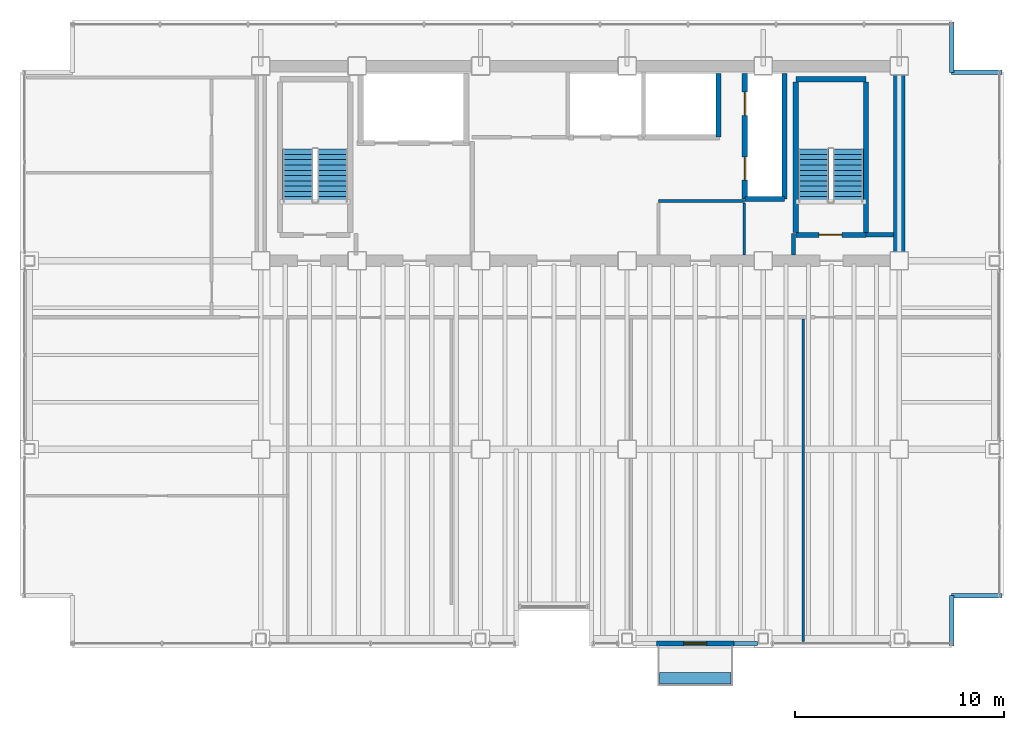
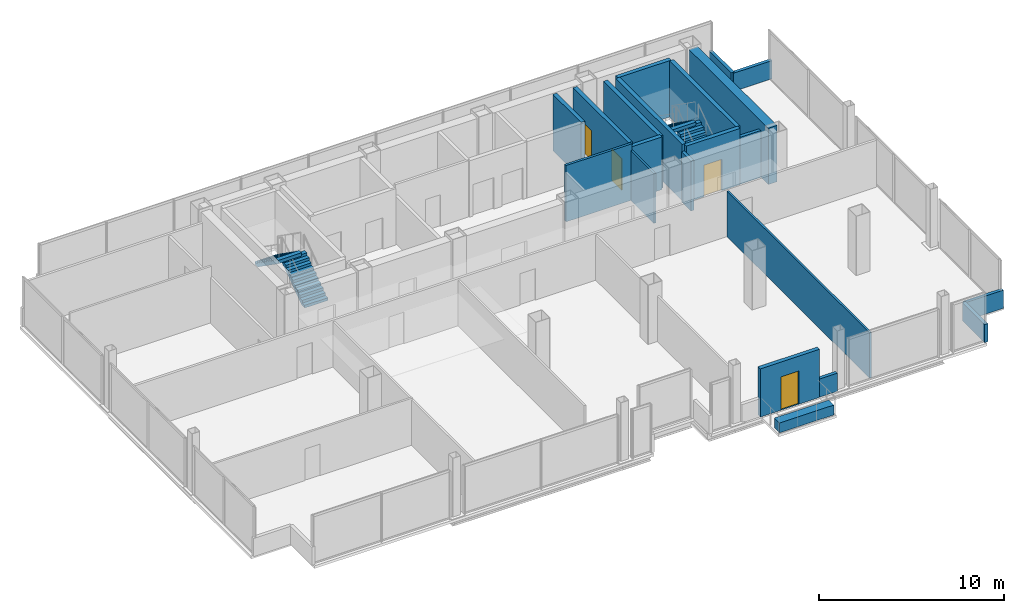
# One storey, part 19 of 20: 20 walls, 4 doors, 4 stair flights, 1 discrete accessory, 4 openings, 2 elements without a shape of their own.
"""IFC4 building model written with IfcOpenShell, lengths in metres."""

from ifc_helpers import new_model, si_unit, direction, frame, frame_2d, origin, origin_2d, place, context, subcontext, project, spatial, polyline, rectangle, outline, extrude, material, layer, layer_set, type_object, element, fill, aggregate, save


model = new_model("IFC4")

# Units and contexts
model_context = context("Model", 3, precision=1e-05, world=origin(), true_north=direction((0.0, 1.0)))
body_context = subcontext(model_context, "Body", "Model", "MODEL_VIEW")
ifc_project = project(units=[si_unit("LENGTHUNIT", "METRE"), si_unit("AREAUNIT", "SQUARE_METRE"), si_unit("VOLUMEUNIT", "CUBIC_METRE"), si_unit("PLANEANGLEUNIT", "RADIAN"), si_unit("MASSUNIT", "GRAM", prefix="KILO")], contexts=[model_context])

# Site, building, storey
site_placement = place(None, origin())
site = spatial("IfcSite", under=ifc_project, at=site_placement, CompositionType="ELEMENT")
building_placement = place(site_placement, origin())
building = spatial("IfcBuilding", under=site, at=building_placement, Name="Noeulbin Bourse Tower", CompositionType="ELEMENT")
storey_placement = place(building_placement, frame((0.0, 0.0, 122.699951171875)))
storey = spatial("IfcBuildingStorey", under=building, at=storey_placement, Name="L30", CompositionType="ELEMENT", Elevation=122.699951171875)

# Wall
ifc_material_1 = material(Name="Concrete C60/75", Category="concrete")
ifc_layer_1 = layer(ifc_material_1, 0.550048828125)
ifc_layer_set_1 = layer_set([ifc_layer_1], Name="Concrete C60/75")
wall_type_1 = type_object("IfcWallType", Name="WAL-CORE-550", PredefinedType="SHEAR", material=ifc_layer_set_1)
wall_1_placement = place(storey_placement, frame((44.0, 29.35009765625, 0.0), z_axis=(0.0, 0.0, 1.0), x_axis=(0.0, 1.0, 0.0)))
element("IfcWall", 1, at=wall_1_placement, inside=storey, type_object=wall_type_1, Name="Rear Core East Shear Wall L30", PredefinedType="SHEAR", context=body_context, shape_type="SweptSolid", body=[
    extrude(rectangle(XDim=8.599853515625, YDim=0.550048828125, at=frame_2d((4.2998046875, 0.0))), origin(), (0.0, 0.0, 1.0), 3.719970703125),
])

# Wall, opening, door
ifc_material_2 = material(Name="Precast Concrete C40/50", Category="concrete")
ifc_layer_2 = layer(ifc_material_2, 0.25)
ifc_layer_set_2 = layer_set([ifc_layer_2], Name="Precast Concrete C40/50")
wall_type_2 = type_object("IfcWallType", Name="WAL-EXT-250", PredefinedType="STANDARD", material=ifc_layer_set_2)
wall_2_placement = place(storey_placement, frame((32.39990234375, 10.719970703125, 0.0), z_axis=(0.0, 0.0, 1.0), x_axis=(1.0, 0.0, 0.0)))
wall_2 = element("IfcWall", 2, at=wall_2_placement, inside=storey, type_object=wall_type_2, Name="Balcony Threshold Wall L30", PredefinedType="STANDARD", context=body_context, shape_type="SweptSolid", body=[
    extrude(rectangle(XDim=3.7001953125, YDim=0.25, at=frame_2d((1.85009765625, 0.0))), origin(), (0.0, 0.0, 1.0), 3.179931640625),
])
opening_1_placement = place(wall_2_placement, frame((1.300048828125, 0.0, 0.0)))
opening_1 = element("IfcOpeningElement", 3, at=opening_1_placement, cuts=wall_2, Name="Opening BD-11", PredefinedType="OPENING", context=body_context, shape_type="SweptSolid", body=[
    extrude(rectangle(XDim=1.10009765625, YDim=2.199951171875, at=frame_2d((0.550048828125, 1.10009765625))), frame((0.0, 0.135009765625, 0.0), z_axis=(0.0, -1.0, 0.0), x_axis=(1.0, 0.0, 0.0)), (0.0, 0.0, 1.0), 0.27001953125),
])
ifc_material_3 = material(Name="Thermally Broken Aluminium Framed Glass", Category="aluminium")
door_type_1 = type_object("IfcDoorType", Name="DR-BAL-1100", OperationType="SINGLE_SWING_LEFT", PredefinedType="DOOR", material=ifc_material_3)
door_1_placement = place(opening_1_placement, origin())
door_1 = element("IfcDoor", 4, at=door_1_placement, inside=storey, type_object=door_type_1, Name="Tree-Balcony Access Door BD-L30", OperationType="SINGLE_SWING_RIGHT", OverallHeight=2.199951171875, OverallWidth=1.10009765625, PredefinedType="DOOR", context=body_context, shape_type="SweptSolid", body=[
    extrude(rectangle(XDim=1.10009765625, YDim=2.199951171875, at=frame_2d((0.550048828125, 1.10009765625))), frame((0.0, 0.02490234375, 0.0), z_axis=(0.0, -1.0, 0.0), x_axis=(1.0, 0.0, 0.0)), (0.0, 0.0, 1.0), 0.050048828125),
])
fill(opening_1, door_1)

# Walls
ifc_material_4 = material(Name="Concrete C40/50", Category="concrete")
ifc_layer_3 = layer(ifc_material_4, 0.199951171875)
ifc_layer_set_3 = layer_set([ifc_layer_3], Name="Concrete C40/50")
wall_type_3 = type_object("IfcWallType", Name="WAL-FIRE-200", PredefinedType="STANDARD", material=ifc_layer_set_3)
wall_3_placement = place(storey_placement, frame((42.39990234375, 30.239990234375, 0.0), z_axis=(0.0, 0.0, 1.0), x_axis=(1.0, 0.0, 0.0)))
element("IfcWall", 5, at=wall_3_placement, inside=storey, type_object=wall_type_3, Name="Interior Partition Wall L30-01", PredefinedType="STANDARD", context=body_context, shape_type="SweptSolid", body=[
    extrude(rectangle(XDim=1.315185546875, YDim=0.199951171875, at=frame_2d((0.65771484375, 0.0))), origin(), (0.0, 0.0, 1.0), 3.10009765625),
])
wall_4_placement = place(storey_placement, frame((38.949951171875, 29.284912109375, 0.0), z_axis=(0.0, 0.0, 1.0), x_axis=(0.0, 1.0, 0.0)))
element("IfcWall", 6, at=wall_4_placement, inside=storey, type_object=wall_type_3, Name="Interior Partition Wall L30-09", PredefinedType="STANDARD", context=body_context, shape_type="SweptSolid", body=[
    extrude(rectangle(XDim=1.01513671875, YDim=0.199951171875, at=frame_2d((0.507568359375, 0.0))), origin(), (0.0, 0.0, 1.0), 3.300048828125),
])
ifc_layer_4 = layer(ifc_material_4, 0.199951171875)
ifc_layer_set_4 = layer_set([ifc_layer_4], Name="Concrete C40/50")
wall_type_4 = type_object("IfcWallType", Name="WAL-PAR-200", PredefinedType="PARAPET", material=ifc_layer_set_4)
wall_5_placement = place(storey_placement, frame((36.10009765625, 10.719970703125, 0.0), z_axis=(0.0, 0.0, 1.0), x_axis=(1.0, 0.0, 0.0)))
element("IfcWall", 7, at=wall_5_placement, inside=storey, type_object=wall_type_4, Name="Perimeter Pier Spandrel Parapet L30-S2", PredefinedType="PARAPET", context=body_context, shape_type="SweptSolid", body=[
    extrude(rectangle(XDim=1.1298828125, YDim=0.199951171875, at=frame_2d((0.56494140625, 0.0))), origin(), (0.0, 0.0, 1.0), 1.199951171875),
])
for number, where, z_axis, x_axis, name in (
    (8, (46.5, 10.60009765625, 0.0), (0.0, 0.0, 1.0), (0.0, 1.0, 0.0), "Corner Notch Parapet L30-SE1"),
    (9, (46.5, 13.0, 0.0), (0.0, 0.0, 1.0), (1.0, 0.0, 0.0), "Corner Notch Parapet L30-SE2"),
    (10, (46.5, 40.39990234375, 0.0), (0.0, 0.0, 1.0), (0.0, -1.0, 0.0), "Corner Notch Parapet L30-NE1"),
    (11, (46.5, 38.0, 0.0), (0.0, 0.0, 1.0), (1.0, 0.0, 0.0), "Corner Notch Parapet L30-NE2"),
):
    element("IfcWall", number, at=place(storey_placement, frame(where, z_axis=z_axis, x_axis=x_axis)), inside=storey, type_object=wall_type_4, Name=name, PredefinedType="PARAPET", context=body_context, shape_type="SweptSolid", body=[
        extrude(rectangle(XDim=2.39990234375, YDim=0.199951171875, at=frame_2d((1.199951171875, 0.0))), origin(), (0.0, 0.0, 1.0), 1.199951171875),
    ])
ifc_material_5 = material(Name="Steel Stud Gypsum Partition", Category="steel")
ifc_layer_5 = layer(ifc_material_5, 0.1201171875)
ifc_layer_set_5 = layer_set([ifc_layer_5], Name="Steel Stud Gypsum Partition")
wall_type_5 = type_object("IfcWallType", Name="WAL-PRT-120", PredefinedType="PARTITIONING", material=ifc_layer_set_5)
wall_6_placement = place(storey_placement, frame((36.60009765625, 29.284912109375, 0.0), z_axis=(0.0, 0.0, 1.0), x_axis=(0.0, 1.0, 0.0)))
element("IfcWall", 12, at=wall_6_placement, inside=storey, type_object=wall_type_5, Name="Interior Partition Wall L30-12", PredefinedType="PARTITIONING", context=body_context, shape_type="SweptSolid", body=[
    extrude(rectangle(XDim=2.47998046875, YDim=0.1201171875, at=frame_2d((1.239990234375, 0.0))), origin(), (0.0, 0.0, 1.0), 3.300048828125),
])
wall_7_placement = place(storey_placement, frame((39.39990234375, 10.81005859375, 0.0), z_axis=(0.0, 0.0, 1.0), x_axis=(0.0, 1.0, 0.0)))
element("IfcWall", 13, at=wall_7_placement, inside=storey, type_object=wall_type_5, Name="Interior Partition Wall L30-17", PredefinedType="PARTITIONING", context=body_context, shape_type="SweptSolid", body=[
    extrude(rectangle(XDim=15.405029296875, YDim=0.1201171875, at=frame_2d((7.70263671875, 0.0))), origin(), (0.0, 0.0, 1.0), 3.0),
])
ifc_material_6 = material(Name="Steel Stud Acoustic Gypsum Board", Category="steel")
ifc_layer_6 = layer(ifc_material_6, 0.14990234375)
ifc_layer_set_6 = layer_set([ifc_layer_6], Name="Steel Stud Acoustic Gypsum Board")
wall_type_6 = type_object("IfcWallType", Name="WAL-PRT-150", PredefinedType="PARTITIONING", material=ifc_layer_set_6)
wall_8_placement = place(storey_placement, frame((32.5, 31.85009765625, 0.0), z_axis=(0.0, 0.0, 1.0), x_axis=(1.0, 0.0, 0.0)))
element("IfcWall", 14, at=wall_8_placement, inside=storey, type_object=wall_type_6, Name="Interior Partition Wall L30-03", PredefinedType="PARTITIONING", context=body_context, shape_type="SweptSolid", body=[
    extrude(rectangle(XDim=4.10009765625, YDim=0.14990234375, at=frame_2d((2.050048828125, 0.0))), origin(), (0.0, 0.0, 1.0), 3.719970703125),
])

# Wall, opening, door
ifc_layer_7 = layer(ifc_material_4, 0.25)
ifc_layer_set_7 = layer_set([ifc_layer_7], Name="Concrete C40/50")
wall_type_7 = type_object("IfcWallType", Name="WAL-SHFT-250", PredefinedType="STANDARD", material=ifc_layer_set_7)
wall_9_placement = place(storey_placement, frame((39.06005859375, 30.235107421875, 0.0), z_axis=(0.0, 0.0, 1.0), x_axis=(1.0, 0.0, 0.0)))
wall_9 = element("IfcWall", 15, at=wall_9_placement, inside=storey, type_object=wall_type_7, Name="Stair ST-2 South Shaft Wall L30", PredefinedType="STANDARD", context=body_context, shape_type="SweptSolid", body=[
    extrude(rectangle(XDim=3.33984375, YDim=0.25, at=frame_2d((1.669921875, 0.0))), origin(), (0.0, 0.0, 1.0), 3.719970703125),
])
opening_2_placement = place(wall_9_placement, frame((1.10009765625, 0.0, 0.0)))
opening_2 = element("IfcOpeningElement", 16, at=opening_2_placement, cuts=wall_9, Name="Opening FD-11", PredefinedType="OPENING", context=body_context, shape_type="SweptSolid", body=[
    extrude(rectangle(XDim=1.10009765625, YDim=2.080078125, at=frame_2d((0.550048828125, 1.0400390625))), frame((0.0, 0.135009765625, 0.0), z_axis=(0.0, -1.0, 0.0), x_axis=(1.0, 0.0, 0.0)), (0.0, 0.0, 1.0), 0.27001953125),
])
ifc_material_7 = material(Name="Fire-Rated Insulated Steel", Category="steel")
door_type_2 = type_object("IfcDoorType", Name="DR-FD60-1100", OperationType="SINGLE_SWING_LEFT", PredefinedType="DOOR", material=ifc_material_7)
door_2_placement = place(opening_2_placement, origin())
door_2 = element("IfcDoor", 17, at=door_2_placement, inside=storey, type_object=door_type_2, Name="Protected Stair Entry Door ST2-L30", OperationType="SINGLE_SWING_RIGHT", OverallHeight=2.080078125, OverallWidth=1.10009765625, PredefinedType="DOOR", context=body_context, shape_type="SweptSolid", body=[
    extrude(rectangle(XDim=1.10009765625, YDim=2.080078125, at=frame_2d((0.550048828125, 1.0400390625))), frame((0.0, 0.02490234375, 0.0), z_axis=(0.0, -1.0, 0.0), x_axis=(1.0, 0.0, 0.0)), (0.0, 0.0, 1.0), 0.050048828125),
])
fill(opening_2, door_2)

# Walls
wall_10_placement = place(storey_placement, frame((39.06005859375, 37.6689453125, 0.0), z_axis=(0.0, 0.0, 1.0), x_axis=(1.0, 0.0, 0.0)))
element("IfcWall", 18, at=wall_10_placement, inside=storey, type_object=wall_type_7, Name="Stair ST-2 North Shaft Wall L30", PredefinedType="STANDARD", context=body_context, shape_type="SweptSolid", body=[
    extrude(rectangle(XDim=3.33984375, YDim=0.25, at=frame_2d((1.669921875, 0.0))), origin(), (0.0, 0.0, 1.0), 3.719970703125),
])
for number, where, z_axis, x_axis, name in (
    (19, (39.054931640625, 30.360107421875, 0.0), (0.0, 0.0, 1.0), (0.0, 1.0, 0.0), "Stair ST-2 West Shaft Wall L30"),
    (20, (42.405029296875, 30.360107421875, 0.0), (0.0, 0.0, 1.0), (0.0, 1.0, 0.0), "Stair ST-2 East Shaft Wall L30"),
):
    element("IfcWall", number, at=place(storey_placement, frame(where, z_axis=z_axis, x_axis=x_axis)), inside=storey, type_object=wall_type_7, Name=name, PredefinedType="STANDARD", context=body_context, shape_type="SweptSolid", body=[
        extrude(rectangle(XDim=7.183837890625, YDim=0.25, at=frame_2d((3.591796875, 0.0))), origin(), (0.0, 0.0, 1.0), 3.719970703125),
    ])

# Wall, openings, doors
wall_11_placement = place(storey_placement, frame((36.6201171875, 31.949951171875, 0.0), z_axis=(0.0, 0.0, 1.0), x_axis=(0.0, 1.0, 0.0)))
wall_11 = element("IfcWall", 21, at=wall_11_placement, inside=storey, type_object=wall_type_7, Name="Service Lift Shaft Wall L30", PredefinedType="STANDARD", context=body_context, shape_type="SweptSolid", body=[
    extrude(rectangle(XDim=6.0, YDim=0.25, at=frame_2d((3.0, 0.0))), origin(), (0.0, 0.0, 1.0), 3.719970703125),
])
opening_3_placement = place(wall_11_placement, frame((0.89990234375, 0.0, 0.0)))
opening_3 = element("IfcOpeningElement", 22, at=opening_3_placement, cuts=wall_11, Name="Opening LD-11", PredefinedType="OPENING", context=body_context, shape_type="SweptSolid", body=[
    extrude(rectangle(XDim=1.10009765625, YDim=2.080078125, at=frame_2d((0.550048828125, 1.0400390625))), frame((0.0, 0.135009765625, 0.0), z_axis=(0.0, -1.0, 0.0), x_axis=(1.0, 0.0, 0.0)), (0.0, 0.0, 1.0), 0.27001953125),
])
opening_4_placement = place(wall_11_placement, frame((4.0, 0.0, 0.0)))
opening_4 = element("IfcOpeningElement", 23, at=opening_4_placement, cuts=wall_11, Name="Opening LD-11", PredefinedType="OPENING", context=body_context, shape_type="SweptSolid", body=[
    extrude(rectangle(XDim=1.10009765625, YDim=2.080078125, at=frame_2d((0.550048828125, 1.0400390625))), frame((0.0, 0.135009765625, 0.0), z_axis=(0.0, -1.0, 0.0), x_axis=(1.0, 0.0, 0.0)), (0.0, 0.0, 1.0), 0.27001953125),
])
ifc_material_8 = material(Name="Brushed Stainless Steel 316", Category="steel")
door_type_3 = type_object("IfcDoorType", Name="DR-LIFT-1100", OperationType="SLIDING_TO_LEFT", PredefinedType="DOOR", material=ifc_material_8)
door_3_placement = place(opening_3_placement, origin())
door_3 = element("IfcDoor", 24, at=door_3_placement, inside=storey, type_object=door_type_3, Name="Lift Landing Door LD-EL-01-L30", OperationType="SLIDING_TO_LEFT", OverallHeight=2.080078125, OverallWidth=1.10009765625, PredefinedType="DOOR", context=body_context, shape_type="SweptSolid", body=[
    extrude(rectangle(XDim=1.10009765625, YDim=2.080078125, at=frame_2d((0.550048828125, 1.0400390625))), frame((0.0, 0.02490234375, 0.0), z_axis=(0.0, -1.0, 0.0), x_axis=(1.0, 0.0, 0.0)), (0.0, 0.0, 1.0), 0.050048828125),
])
fill(opening_3, door_3)
door_4_placement = place(opening_4_placement, origin())
door_4 = element("IfcDoor", 25, at=door_4_placement, inside=storey, type_object=door_type_3, Name="Lift Landing Door LD-SV-01-L30", OperationType="SLIDING_TO_LEFT", OverallHeight=2.080078125, OverallWidth=1.10009765625, PredefinedType="DOOR", context=body_context, shape_type="SweptSolid", body=[
    extrude(rectangle(XDim=1.10009765625, YDim=2.080078125, at=frame_2d((0.550048828125, 1.0400390625))), frame((0.0, 0.02490234375, 0.0), z_axis=(0.0, -1.0, 0.0), x_axis=(1.0, 0.0, 0.0)), (0.0, 0.0, 1.0), 0.050048828125),
])
fill(opening_4, door_4)

# Walls
wall_12_placement = place(storey_placement, frame((38.52001953125, 31.949951171875, 0.0), z_axis=(0.0, 0.0, 1.0), x_axis=(0.0, 1.0, 0.0)))
element("IfcWall", 26, at=wall_12_placement, inside=storey, type_object=wall_type_7, Name="Service Lift East Shaft Wall L30", PredefinedType="STANDARD", context=body_context, shape_type="SweptSolid", body=[
    extrude(rectangle(XDim=6.0, YDim=0.25, at=frame_2d((3.0, 0.0))), origin(), (0.0, 0.0, 1.0), 3.47998046875),
])
wall_13_placement = place(storey_placement, frame((36.6201171875, 31.949951171875, 0.0), z_axis=(0.0, 0.0, 1.0), x_axis=(1.0, 0.0, 0.0)))
element("IfcWall", 27, at=wall_13_placement, inside=storey, type_object=wall_type_7, Name="Service Lift South Shaft Wall L30", PredefinedType="STANDARD", context=body_context, shape_type="SweptSolid", body=[
    extrude(rectangle(XDim=1.89990234375, YDim=0.25, at=frame_2d((0.949951171875, 0.0))), origin(), (0.0, 0.0, 1.0), 3.47998046875),
])
wall_14_placement = place(storey_placement, frame((35.360107421875, 34.89990234375, 0.0), z_axis=(0.0, 0.0, 1.0), x_axis=(0.0, 1.0, 0.0)))
element("IfcWall", 28, at=wall_14_placement, inside=storey, type_object=wall_type_7, Name="High-Rise Lift East Shaft Wall L30", PredefinedType="STANDARD", context=body_context, shape_type="SweptSolid", body=[
    extrude(rectangle(XDim=3.050048828125, YDim=0.25, at=frame_2d((1.52490234375, 0.0))), origin(), (0.0, 0.0, 1.0), 3.719970703125),
])

# Stair, stair flights
stair_type = type_object("IfcStairType", Name="STR-CORE-1560", PredefinedType="HALF_TURN_STAIR", material=ifc_material_4)
stair_1_placement = place(storey_placement, origin())
stair_1 = element("IfcStair", 29, at=stair_1_placement, inside=storey, type_object=stair_type, Name="L30 ST-1", PredefinedType="HALF_TURN_STAIR")
stair_flight_type = type_object("IfcStairFlightType", Name="SFL-CORE-1560", PredefinedType="STRAIGHT", material=ifc_material_4)
stair_flight_1_placement = place(storey_placement, frame((16.925048828125, 31.81005859375, 0.0), z_axis=(0.0, 0.0, 1.0), x_axis=(0.0, 1.0, 0.0)))
stair_flight_1 = element("IfcStairFlight", 30, at=stair_flight_1_placement, type_object=stair_flight_type, Name="ST-1 flight 1", NumberOfRisers=11, NumberOfTreads=10, PredefinedType="STRAIGHT", RiserHeight=0.177272727, TreadLength=0.252, context=body_context, shape_type="SweptSolid", body=[
    extrude(outline(polyline([(0.0, 0.0), (0.0, 0.17724609375), (0.251953125, 0.17724609375), (0.251953125, 0.3544921875), (0.50390625, 0.3544921875), (0.50390625, 0.53173828125), (0.756103515625, 0.53173828125), (0.756103515625, 0.708984375), (1.008056640625, 0.708984375), (1.008056640625, 0.886474609375), (1.260009765625, 0.886474609375), (1.260009765625, 1.063720703125), (1.511962890625, 1.063720703125), (1.511962890625, 1.240966796875), (1.763916015625, 1.240966796875), (1.763916015625, 1.418212890625), (2.01611328125, 1.418212890625), (2.01611328125, 1.595458984375), (2.26806640625, 1.595458984375), (2.26806640625, 1.772705078125), (2.52001953125, 1.772705078125), (2.52001953125, 1.949951171875), (2.52001953125, 1.552734375), (0.312744140625, 0.0), (0.0, 0.0)])), frame((0.0, 0.72509765625, 0.0), z_axis=(0.0, -1.0, 0.0), x_axis=(1.0, 0.0, 0.0)), (0.0, 0.0, 1.0), 1.449951171875),
])
stair_flight_2_placement = place(storey_placement, frame((15.27490234375, 34.330078125, 1.949951171875), z_axis=(0.0, 0.0, 1.0), x_axis=(0.0, -1.0, 0.0)))
stair_flight_2 = element("IfcStairFlight", 31, at=stair_flight_2_placement, type_object=stair_flight_type, Name="ST-1 flight 2", NumberOfRisers=11, NumberOfTreads=10, PredefinedType="STRAIGHT", RiserHeight=0.177272727, TreadLength=0.252, context=body_context, shape_type="SweptSolid", body=[
    extrude(outline(polyline([(0.0, 0.0), (0.0, 0.17724609375), (0.251953125, 0.17724609375), (0.251953125, 0.3544921875), (0.50390625, 0.3544921875), (0.50390625, 0.53173828125), (0.756103515625, 0.53173828125), (0.756103515625, 0.708984375), (1.008056640625, 0.708984375), (1.008056640625, 0.886474609375), (1.260009765625, 0.886474609375), (1.260009765625, 1.063720703125), (1.511962890625, 1.063720703125), (1.511962890625, 1.240966796875), (1.763916015625, 1.240966796875), (1.763916015625, 1.418212890625), (2.01611328125, 1.418212890625), (2.01611328125, 1.595458984375), (2.26806640625, 1.595458984375), (2.26806640625, 1.772705078125), (2.52001953125, 1.772705078125), (2.52001953125, 1.949951171875), (2.52001953125, 1.552734375), (0.312744140625, 0.0), (0.0, 0.0)])), frame((0.0, 0.72509765625, 0.0), z_axis=(0.0, -1.0, 0.0), x_axis=(1.0, 0.0, 0.0)), (0.0, 0.0, 1.0), 1.449951171875),
])
aggregate(stair_1, [stair_flight_1, stair_flight_2])

stair_2_placement = place(storey_placement, origin())
stair_2 = element("IfcStair", 32, at=stair_2_placement, inside=storey, type_object=stair_type, Name="L30 ST-2", PredefinedType="HALF_TURN_STAIR")
stair_flight_3_placement = place(storey_placement, frame((41.554931640625, 31.81005859375, 0.0), z_axis=(0.0, 0.0, 1.0), x_axis=(0.0, 1.0, 0.0)))
stair_flight_3 = element("IfcStairFlight", 33, at=stair_flight_3_placement, type_object=stair_flight_type, Name="ST-2 flight 1", NumberOfRisers=11, NumberOfTreads=10, PredefinedType="STRAIGHT", RiserHeight=0.177272727, TreadLength=0.252, context=body_context, shape_type="SweptSolid", body=[
    extrude(outline(polyline([(0.0, 0.0), (0.0, 0.17724609375), (0.251953125, 0.17724609375), (0.251953125, 0.3544921875), (0.50390625, 0.3544921875), (0.50390625, 0.53173828125), (0.756103515625, 0.53173828125), (0.756103515625, 0.708984375), (1.008056640625, 0.708984375), (1.008056640625, 0.886474609375), (1.260009765625, 0.886474609375), (1.260009765625, 1.063720703125), (1.511962890625, 1.063720703125), (1.511962890625, 1.240966796875), (1.763916015625, 1.240966796875), (1.763916015625, 1.418212890625), (2.01611328125, 1.418212890625), (2.01611328125, 1.595458984375), (2.26806640625, 1.595458984375), (2.26806640625, 1.772705078125), (2.52001953125, 1.772705078125), (2.52001953125, 1.949951171875), (2.52001953125, 1.552734375), (0.312744140625, 0.0), (0.0, 0.0)])), frame((0.0, 0.72509765625, 0.0), z_axis=(0.0, -1.0, 0.0), x_axis=(1.0, 0.0, 0.0)), (0.0, 0.0, 1.0), 1.449951171875),
])
stair_flight_4_placement = place(storey_placement, frame((39.905029296875, 34.330078125, 1.949951171875), z_axis=(0.0, 0.0, 1.0), x_axis=(0.0, -1.0, 0.0)))
stair_flight_4 = element("IfcStairFlight", 34, at=stair_flight_4_placement, type_object=stair_flight_type, Name="ST-2 flight 2", NumberOfRisers=11, NumberOfTreads=10, PredefinedType="STRAIGHT", RiserHeight=0.177272727, TreadLength=0.252, context=body_context, shape_type="SweptSolid", body=[
    extrude(outline(polyline([(0.0, 0.0), (0.0, 0.17724609375), (0.251953125, 0.17724609375), (0.251953125, 0.3544921875), (0.50390625, 0.3544921875), (0.50390625, 0.53173828125), (0.756103515625, 0.53173828125), (0.756103515625, 0.708984375), (1.008056640625, 0.708984375), (1.008056640625, 0.886474609375), (1.260009765625, 0.886474609375), (1.260009765625, 1.063720703125), (1.511962890625, 1.063720703125), (1.511962890625, 1.240966796875), (1.763916015625, 1.240966796875), (1.763916015625, 1.418212890625), (2.01611328125, 1.418212890625), (2.01611328125, 1.595458984375), (2.26806640625, 1.595458984375), (2.26806640625, 1.772705078125), (2.52001953125, 1.772705078125), (2.52001953125, 1.949951171875), (2.52001953125, 1.552734375), (0.312744140625, 0.0), (0.0, 0.0)])), frame((0.0, 0.72509765625, 0.0), z_axis=(0.0, -1.0, 0.0), x_axis=(1.0, 0.0, 0.0)), (0.0, 0.0, 1.0), 1.449951171875),
])
aggregate(stair_2, [stair_flight_3, stair_flight_4])

# Discrete accessory
ifc_material_9 = material(Name="Architectural GFRC Concrete C40/50", Category="concrete")
ifc_layer_8 = layer(ifc_material_9, 0.64990234375)
ifc_layer_set_8 = layer_set([ifc_layer_8], Name="Architectural GFRC Concrete C40/50")
discrete_accessory_type = type_object("IfcDiscreteAccessoryType", Name="PLANTER-BOX-3600", PredefinedType="USERDEFINED", material=ifc_layer_set_8)
discrete_accessory_placement = place(storey_placement, frame((34.25, 9.06005859375, 0.0), z_axis=(0.0, 0.0, 1.0), x_axis=(1.0, 0.0, 0.0)))
element("IfcDiscreteAccessory", 35, at=discrete_accessory_placement, inside=storey, type_object=discrete_accessory_type, Name="Integrated Balcony Tree Planter Box L30", ObjectType="PLANTER", PredefinedType="USERDEFINED", context=body_context, shape_type="SweptSolid", body=[
    extrude(rectangle(XDim=3.39990234375, YDim=0.550048828125, at=origin_2d()), origin(), (0.0, 0.0, 1.0), 0.64990234375),
])

save(model, "model.ifc")
